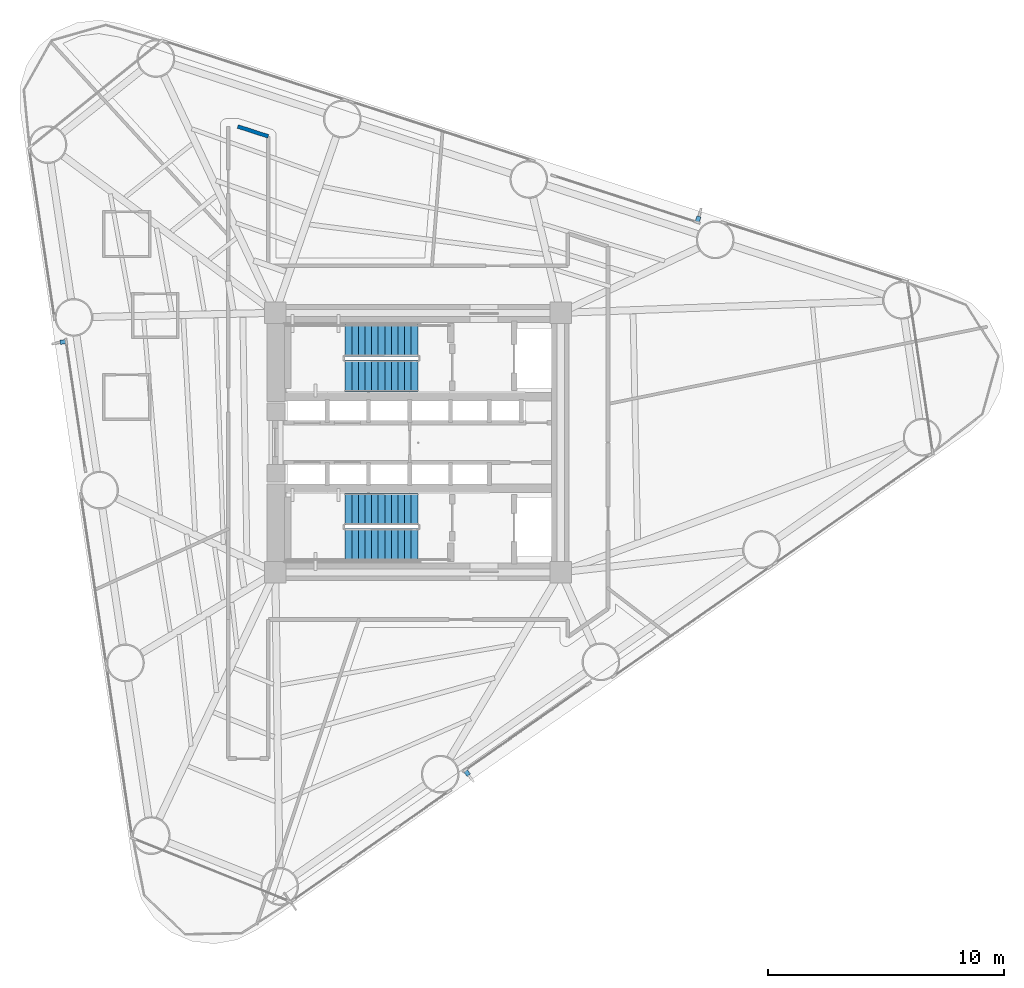
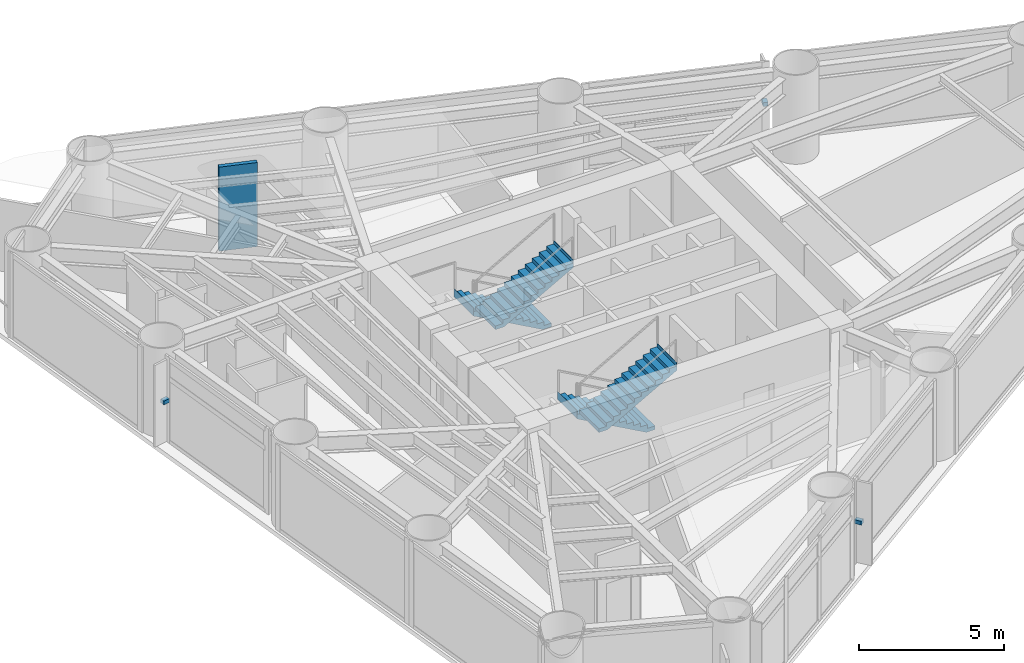
# One storey, part 7 of 11: 4 stair flights, 3 discrete accessories, 1 wall, 2 elements without a shape of their own.
"""IFC4 building model written with IfcOpenShell, lengths in metres."""

from ifc_helpers import new_model, si_unit, direction, frame, frame_2d, origin, origin_2d, place, context, subcontext, project, spatial, polyline, rectangle, outline, extrude, source, transform, mapped, material, layer, layer_set, type_object, element, aggregate, save


model = new_model("IFC4")

# Units and contexts
model_context = context("Model", 3, precision=1e-05, world=origin(), true_north=direction((0.0, 1.0)))
body_context = subcontext(model_context, "Body", "Model", "MODEL_VIEW")
ifc_project = project(units=[si_unit("LENGTHUNIT", "METRE"), si_unit("AREAUNIT", "SQUARE_METRE"), si_unit("VOLUMEUNIT", "CUBIC_METRE"), si_unit("PLANEANGLEUNIT", "RADIAN"), si_unit("MASSUNIT", "GRAM", prefix="KILO")], contexts=[model_context])

# Site, building, storey
site_placement = place(None, origin())
site = spatial("IfcSite", under=ifc_project, at=site_placement, CompositionType="ELEMENT")
building_placement = place(site_placement, origin())
building = spatial("IfcBuilding", under=site, at=building_placement, Name="Yunling Apex Tower", CompositionType="ELEMENT")
storey_placement = place(building_placement, frame((0.0, 0.0, 54.800048828125)))
storey = spatial("IfcBuildingStorey", under=building, at=storey_placement, Name="L14", CompositionType="ELEMENT", Elevation=54.800048828125)

# Wall
ifc_material_1 = material(Name="Gypsum board acoustic partition")
ifc_layer = layer(ifc_material_1, 0.159912109375)
ifc_layer_set = layer_set([ifc_layer], Name="Gypsum board acoustic partition")
wall_type = type_object("IfcWallType", Name="WL-PRT-1", PredefinedType="PARTITIONING", material=ifc_layer_set)
wall_placement = place(storey_placement, frame((-7.64111328125, 13.39990234375, 0.0), z_axis=(0.0, 0.0, 1.0), x_axis=(0.951277022007, -0.308337521884, 0.0)))
element("IfcWall", 1, at=wall_placement, inside=storey, type_object=wall_type, Name="WL-CORR-L14-06", PredefinedType="PARTITIONING", context=body_context, shape_type="SweptSolid", body=[
    extrude(rectangle(XDim=1.357177734375, YDim=0.159912109375, at=frame_2d((0.6787109375, 0.0))), origin(), (0.0, 0.0, 1.0), 3.544921875),
])

# Stair, stair flights
ifc_material_2 = material(Name="Concrete C40", Category="concrete")
stair_type = type_object("IfcStairType", Name="ST-TWR-1", PredefinedType="HALF_TURN_STAIR", material=ifc_material_2)
stair_1_placement = place(storey_placement, origin())
stair_1 = element("IfcStair", 2, at=stair_1_placement, inside=storey, type_object=stair_type, Name="L14 North Core Smokeproof Exit Stair ST-1", PredefinedType="HALF_TURN_STAIR")
stair_flight_type = type_object("IfcStairFlightType", Name="SFL-TWR-1", PredefinedType="STRAIGHT", material=ifc_material_2)
stair_flight_1_placement = place(storey_placement, frame((-0.010009765625, 4.330078125, 0.0), z_axis=(0.0, 0.0, 1.0), x_axis=(-1.0, 0.0, 0.0)))
stair_flight_1 = element("IfcStairFlight", 3, at=stair_flight_1_placement, type_object=stair_flight_type, Name="ST-1 flight 1", NumberOfRisers=12, NumberOfTreads=11, PredefinedType="STRAIGHT", RiserHeight=0.15625, TreadLength=0.28, context=body_context, shape_type="SweptSolid", body=[
    extrude(outline(polyline([(-0.011962890625, 0.0), (-0.011962890625, 0.15625), (0.0, 0.15625), (0.280029296875, 0.15625), (0.280029296875, 0.3125), (0.56005859375, 0.3125), (0.56005859375, 0.46875), (0.840087890625, 0.46875), (0.840087890625, 0.625), (1.1201171875, 0.625), (1.1201171875, 0.78125), (1.39990234375, 0.78125), (1.39990234375, 0.9375), (1.679931640625, 0.9375), (1.679931640625, 1.09375), (1.9599609375, 1.09375), (1.9599609375, 1.25), (2.239990234375, 1.25), (2.239990234375, 1.40625), (2.52001953125, 1.40625), (2.52001953125, 1.5625), (2.800048828125, 1.5625), (2.800048828125, 1.71875), (3.080078125, 1.71875), (3.080078125, 1.875), (3.092041015625, 1.875), (3.092041015625, 1.53564453125), (0.328125, 0.0), (-0.011962890625, 0.0)])), frame((0.0, 0.68017578125, 0.0), z_axis=(0.0, -1.0, 0.0), x_axis=(1.0, 0.0, 0.0)), (0.0, 0.0, 1.0), 1.360107421875),
])
stair_flight_2_placement = place(storey_placement, frame((-3.090087890625, 2.820068359375, 1.875), z_axis=(0.0, 0.0, 1.0), x_axis=(1.0, 0.0, 0.0)))
stair_flight_2 = element("IfcStairFlight", 4, at=stair_flight_2_placement, type_object=stair_flight_type, Name="ST-1 flight 2", NumberOfRisers=12, NumberOfTreads=11, PredefinedType="STRAIGHT", RiserHeight=0.15625, TreadLength=0.28, context=body_context, shape_type="SweptSolid", body=[
    extrude(outline(polyline([(-0.011962890625, 0.0), (-0.011962890625, 0.15625), (0.0, 0.15625), (0.280029296875, 0.15625), (0.280029296875, 0.3125), (0.56005859375, 0.3125), (0.56005859375, 0.46875), (0.840087890625, 0.46875), (0.840087890625, 0.625), (1.1201171875, 0.625), (1.1201171875, 0.78125), (1.39990234375, 0.78125), (1.39990234375, 0.9375), (1.679931640625, 0.9375), (1.679931640625, 1.09375), (1.9599609375, 1.09375), (1.9599609375, 1.25), (2.239990234375, 1.25), (2.239990234375, 1.40625), (2.52001953125, 1.40625), (2.52001953125, 1.5625), (2.800048828125, 1.5625), (2.800048828125, 1.71875), (3.080078125, 1.71875), (3.080078125, 1.875), (3.092041015625, 1.875), (3.092041015625, 1.53564453125), (0.328125, 0.0), (-0.011962890625, 0.0)])), frame((0.0, 0.68017578125, 0.0), z_axis=(0.0, -1.0, 0.0), x_axis=(1.0, 0.0, 0.0)), (0.0, 0.0, 1.0), 1.360107421875),
])
aggregate(stair_1, [stair_flight_1, stair_flight_2])

stair_2_placement = place(storey_placement, origin())
stair_2 = element("IfcStair", 5, at=stair_2_placement, inside=storey, type_object=stair_type, Name="L14 South Core Smokeproof Exit Stair ST-2", PredefinedType="HALF_TURN_STAIR")
stair_flight_3_placement = place(storey_placement, frame((-0.010009765625, -2.820068359375, 0.0), z_axis=(0.0, 0.0, 1.0), x_axis=(-1.0, 0.0, 0.0)))
stair_flight_3 = element("IfcStairFlight", 6, at=stair_flight_3_placement, type_object=stair_flight_type, Name="ST-2 flight 1", NumberOfRisers=12, NumberOfTreads=11, PredefinedType="STRAIGHT", RiserHeight=0.15625, TreadLength=0.28, context=body_context, shape_type="SweptSolid", body=[
    extrude(outline(polyline([(-0.011962890625, 0.0), (-0.011962890625, 0.15625), (0.0, 0.15625), (0.280029296875, 0.15625), (0.280029296875, 0.3125), (0.56005859375, 0.3125), (0.56005859375, 0.46875), (0.840087890625, 0.46875), (0.840087890625, 0.625), (1.1201171875, 0.625), (1.1201171875, 0.78125), (1.39990234375, 0.78125), (1.39990234375, 0.9375), (1.679931640625, 0.9375), (1.679931640625, 1.09375), (1.9599609375, 1.09375), (1.9599609375, 1.25), (2.239990234375, 1.25), (2.239990234375, 1.40625), (2.52001953125, 1.40625), (2.52001953125, 1.5625), (2.800048828125, 1.5625), (2.800048828125, 1.71875), (3.080078125, 1.71875), (3.080078125, 1.875), (3.092041015625, 1.875), (3.092041015625, 1.53564453125), (0.328125, 0.0), (-0.011962890625, 0.0)])), frame((0.0, 0.68017578125, 0.0), z_axis=(0.0, -1.0, 0.0), x_axis=(1.0, 0.0, 0.0)), (0.0, 0.0, 1.0), 1.360107421875),
])
stair_flight_4_placement = place(storey_placement, frame((-3.090087890625, -4.330078125, 1.875), z_axis=(0.0, 0.0, 1.0), x_axis=(1.0, 0.0, 0.0)))
stair_flight_4 = element("IfcStairFlight", 7, at=stair_flight_4_placement, type_object=stair_flight_type, Name="ST-2 flight 2", NumberOfRisers=12, NumberOfTreads=11, PredefinedType="STRAIGHT", RiserHeight=0.15625, TreadLength=0.28, context=body_context, shape_type="SweptSolid", body=[
    extrude(outline(polyline([(-0.011962890625, 0.0), (-0.011962890625, 0.15625), (0.0, 0.15625), (0.280029296875, 0.15625), (0.280029296875, 0.3125), (0.56005859375, 0.3125), (0.56005859375, 0.46875), (0.840087890625, 0.46875), (0.840087890625, 0.625), (1.1201171875, 0.625), (1.1201171875, 0.78125), (1.39990234375, 0.78125), (1.39990234375, 0.9375), (1.679931640625, 0.9375), (1.679931640625, 1.09375), (1.9599609375, 1.09375), (1.9599609375, 1.25), (2.239990234375, 1.25), (2.239990234375, 1.40625), (2.52001953125, 1.40625), (2.52001953125, 1.5625), (2.800048828125, 1.5625), (2.800048828125, 1.71875), (3.080078125, 1.71875), (3.080078125, 1.875), (3.092041015625, 1.875), (3.092041015625, 1.53564453125), (0.328125, 0.0), (-0.011962890625, 0.0)])), frame((0.0, 0.68017578125, 0.0), z_axis=(0.0, -1.0, 0.0), x_axis=(1.0, 0.0, 0.0)), (0.0, 0.0, 1.0), 1.360107421875),
])
aggregate(stair_2, [stair_flight_3, stair_flight_4])

# Discrete accessories
ifc_material_3 = material(Name="Steel Q355B", Category="steel")
discrete_accessory_type = type_object("IfcDiscreteAccessoryType", Name="BK-FIN-1", PredefinedType="BRACKET", material=ifc_material_3)
shared_shape = source(origin(), body_context, "Body", "SweptSolid", [
    extrude(rectangle(XDim=0.179931640625, YDim=0.260009765625, at=origin_2d()), origin(), (0.0, 0.0, 1.0), 0.159912109375),
])
for number, where, z_axis, x_axis, name in (
    (8, (2.07421875, -13.998291015625, 1.70263671875), (0.0, 0.0, 1.0), (0.819552276527, 0.573004420611, 0.0), "CW-L14-F1-B2-BRK-01-1"),
    (9, (11.86865234375, 9.462158203125, 1.70263671875), (0.0, 0.0, 1.0), (-0.951272019071, 0.30835295642, 0.0), "CW-L14-F2-B2-BRK-01-1"),
    (10, (-15.0458984375, 4.265380859375, 1.70263671875), (0.0, 0.0, 1.0), (0.14780941113, -0.989015863362, 0.0), "CW-L14-F3-B2-BRK-01-1"),
):
    element("IfcDiscreteAccessory", number, at=place(storey_placement, frame(where, z_axis=z_axis, x_axis=x_axis)), inside=storey, type_object=discrete_accessory_type, Name=name, PredefinedType="BRACKET", context=body_context, shape_type="MappedRepresentation", body=[
        mapped(shared_shape, transform((0.0, 0.0, 0.0), scale=1.0)),
    ])

save(model, "model.ifc")
